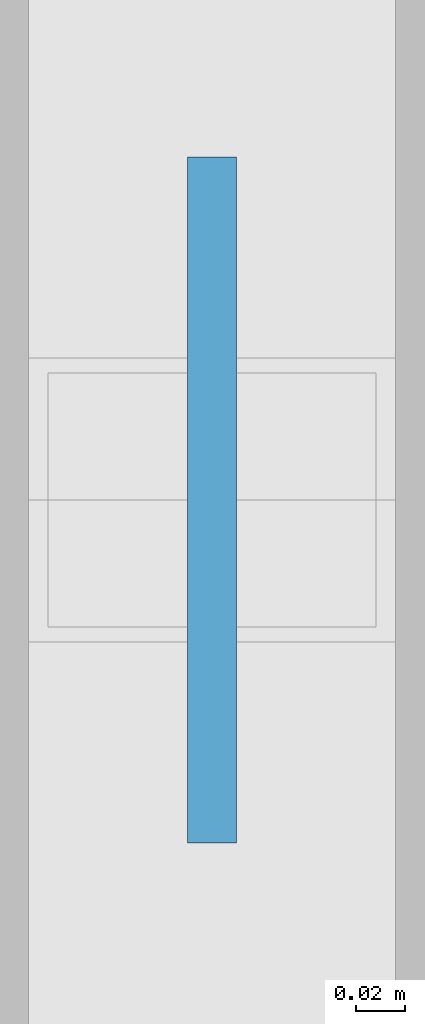
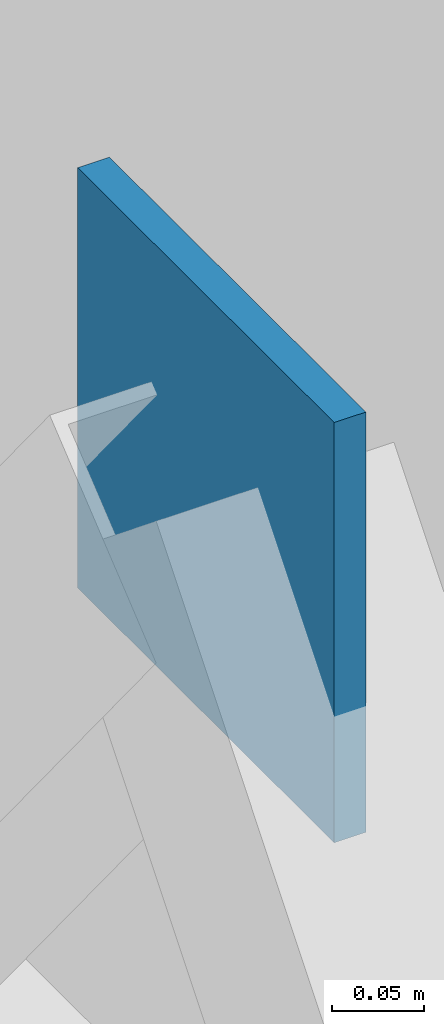
# One storey, part 202 of 237: 1 plate.
"""IFC4 building model written with IfcOpenShell, lengths in metres."""

from ifc_helpers import new_model, si_unit, direction, frame, origin, origin_2d, place, context, subcontext, project, spatial, rectangle, extrude, material, layer, layer_set, type_object, element, save


model = new_model("IFC4")

# Units and contexts
model_context = context("Model", 3, precision=1e-05, world=origin(), true_north=direction((0.0, 1.0)))
body_context = subcontext(model_context, "Body", "Model", "MODEL_VIEW")
ifc_project = project(units=[si_unit("LENGTHUNIT", "METRE"), si_unit("AREAUNIT", "SQUARE_METRE"), si_unit("VOLUMEUNIT", "CUBIC_METRE"), si_unit("PLANEANGLEUNIT", "RADIAN"), si_unit("MASSUNIT", "GRAM", prefix="KILO")], contexts=[model_context])

# Site, building, storey
site_placement = place(None, origin())
site = spatial("IfcSite", under=ifc_project, at=site_placement, CompositionType="ELEMENT")
building_placement = place(site_placement, origin())
building = spatial("IfcBuilding", under=site, at=building_placement, Name="Barlavento Convention Centre", CompositionType="ELEMENT")
storey_placement = place(building_placement, frame((0.0, 0.0, 12.0)))
storey = spatial("IfcBuildingStorey", under=building, at=storey_placement, Name="L02", CompositionType="ELEMENT", Elevation=12.0)

# Plate
ifc_material = material(Name="Steel S355", Category="steel")
ifc_layer = layer(ifc_material, 0.02001953125)
ifc_layer_set = layer_set([ifc_layer], Name="STR-PLT-CAP-280")
plate_type = type_object("IfcPlateType", Name="STR-PLT-CAP-280", PredefinedType="SHEET", material=ifc_layer_set)
plate_placement = place(storey_placement, frame((126.0, 85.5, 5.31982421875), z_axis=(0.0, 0.0, 1.0), x_axis=(1.0, 0.0, 0.0)))
element("IfcPlate", 1, at=plate_placement, inside=storey, type_object=plate_type, Name="Chevron brace gusset splice plate EC03", PredefinedType="SHEET", context=body_context, shape_type="SweptSolid", body=[
    extrude(rectangle(XDim=0.02001953125, YDim=0.280029296875, at=origin_2d()), origin(), (0.0, 0.0, 1.0), 0.280029296875),
])

save(model, "model.ifc")
